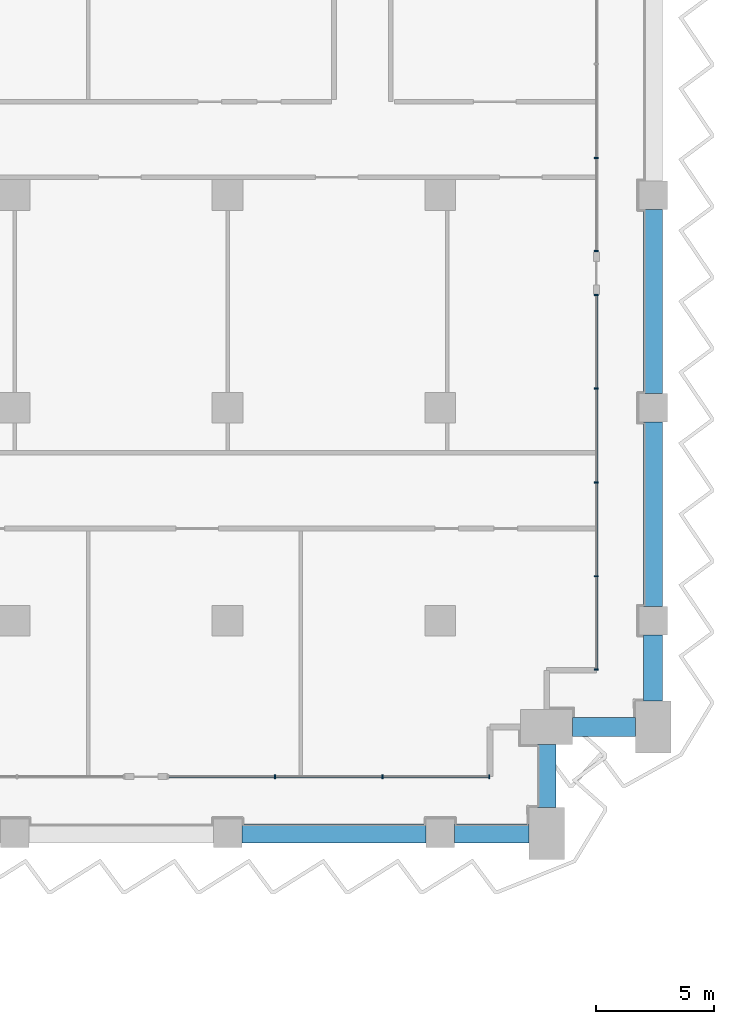
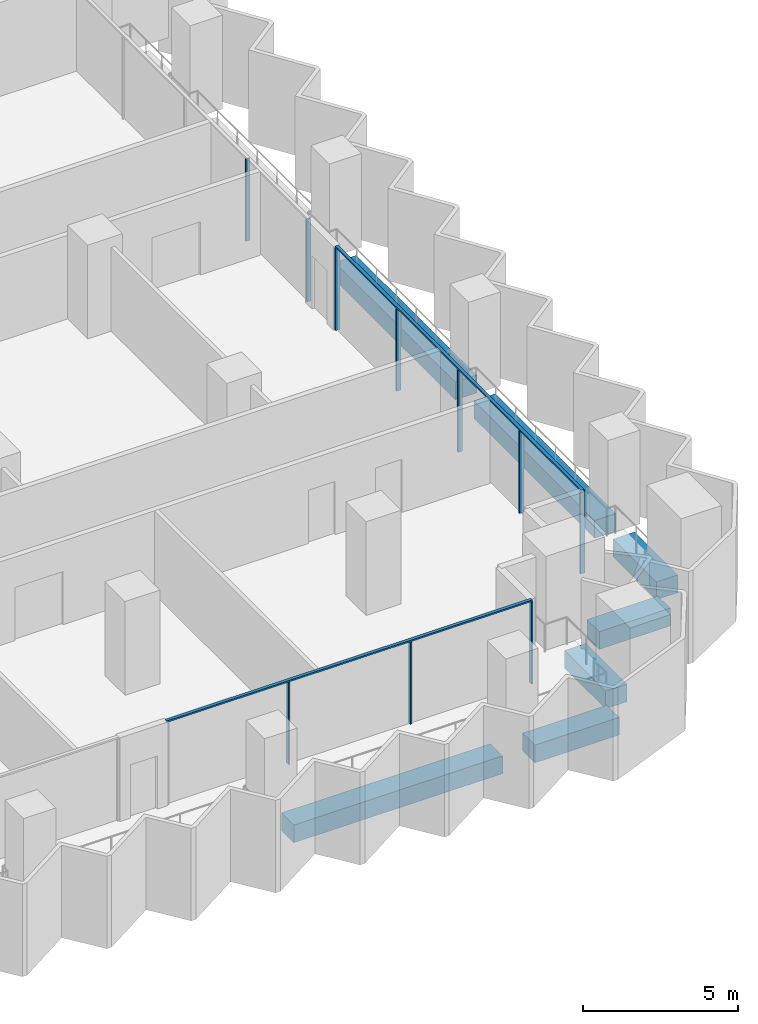
# One storey, part 5 of 22: 12 members, 7 beams, 3 elements without a shape of their own.
"""IFC4 building model written with IfcOpenShell, lengths in metres."""

from ifc_helpers import new_model, si_unit, direction, frame, origin, origin_2d, place, context, subcontext, project, spatial, rectangle, extrude, material, material_profile, profile_set, type_object, element, aggregate, save


model = new_model("IFC4")

# Units and contexts
model_context = context("Model", 3, precision=1e-05, world=origin(), true_north=direction((0.0, 1.0)))
body_context = subcontext(model_context, "Body", "Model", "MODEL_VIEW")
ifc_project = project(units=[si_unit("LENGTHUNIT", "METRE"), si_unit("AREAUNIT", "SQUARE_METRE"), si_unit("VOLUMEUNIT", "CUBIC_METRE"), si_unit("PLANEANGLEUNIT", "RADIAN"), si_unit("MASSUNIT", "GRAM", prefix="KILO")], contexts=[model_context])

# Site, building, storey
site_placement = place(None, origin())
site = spatial("IfcSite", under=ifc_project, at=site_placement, CompositionType="ELEMENT")
building_placement = place(site_placement, origin())
building = spatial("IfcBuilding", under=site, at=building_placement, Name="Hunhe Ridgeline Campus", CompositionType="ELEMENT")
storey_placement = place(building_placement, frame((0.0, 0.0, 92.199951171875)))
storey = spatial("IfcBuildingStorey", under=building, at=storey_placement, Name="L22", CompositionType="ELEMENT", Elevation=92.199951171875)

# Curtain wall, members
ifc_material_1 = material(Name="Aluminium 6063", Category="aluminium")
curtain_wall_type = type_object("IfcCurtainWallType", Name="Curtain wall CW-1", PredefinedType="NOTDEFINED", material=ifc_material_1)
curtain_wall_1_placement = place(storey_placement, origin())
curtain_wall_1 = element("IfcCurtainWall", 1, at=curtain_wall_1_placement, inside=storey, type_object=curtain_wall_type, Name="Curtain wall 14", PredefinedType="NOTDEFINED")
ifc_material_profile_1 = material_profile(ifc_material_1, rectangle(XDim=0.159912109375, YDim=0.06005859375, at=origin_2d()))
ifc_profile_set_1 = profile_set([ifc_material_profile_1], Name="Aluminium 6063")
member_type_1 = type_object("IfcMemberType", Name="CW-1 aluminium mullion", PredefinedType="MULLION", material=ifc_profile_set_1)
member_1_placement = place(storey_placement, frame((64.999267578125, 56.40087890625, 0.0), z_axis=(0.0, 0.0, 1.0), x_axis=(-1.4652e-07, 1.0, 0.0)))
member_1 = element("IfcMember", 2, at=member_1_placement, type_object=member_type_1, Name="CW-1 mullion 2", PredefinedType="MULLION", context=body_context, shape_type="SweptSolid", body=[
    extrude(rectangle(XDim=0.159912109375, YDim=0.06005859375, at=origin_2d()), origin(), (0.0, 0.0, 1.0), 3.239990234375),
])
member_2_placement = place(storey_placement, frame((69.549072265625, 56.40087890625, 0.0), z_axis=(0.0, 0.0, 1.0), x_axis=(-1.4652e-07, 1.0, 0.0)))
member_2 = element("IfcMember", 3, at=member_2_placement, type_object=member_type_1, Name="CW-1 mullion 3", PredefinedType="MULLION", context=body_context, shape_type="SweptSolid", body=[
    extrude(rectangle(XDim=0.159912109375, YDim=0.06005859375, at=origin_2d()), origin(), (0.0, 0.0, 1.0), 3.239990234375),
])
member_3_placement = place(storey_placement, frame((74.069091796875, 56.40087890625, 0.0), z_axis=(0.0, 0.0, 1.0), x_axis=(-1.4652e-07, 1.0, 0.0)))
member_3 = element("IfcMember", 4, at=member_3_placement, type_object=member_type_1, Name="CW-1 mullion 4", PredefinedType="MULLION", context=body_context, shape_type="SweptSolid", body=[
    extrude(rectangle(XDim=0.159912109375, YDim=0.06005859375, at=origin_2d()), origin(), (0.0, 0.0, 1.0), 3.239990234375),
])

curtain_wall_2_placement = place(storey_placement, origin())
curtain_wall_2 = element("IfcCurtainWall", 5, at=curtain_wall_2_placement, inside=storey, type_object=curtain_wall_type, Name="Curtain wall 15", PredefinedType="NOTDEFINED")
member_4_placement = place(storey_placement, frame((78.59912109375, 60.930908203125, 0.0), z_axis=(0.0, 0.0, 1.0), x_axis=(-1.0, 0.0, 0.0)))
member_4 = element("IfcMember", 6, at=member_4_placement, type_object=member_type_1, Name="CW-1 mullion 1", PredefinedType="MULLION", context=body_context, shape_type="SweptSolid", body=[
    extrude(rectangle(XDim=0.159912109375, YDim=0.06005859375, at=origin_2d()), origin(), (0.0, 0.0, 1.0), 3.239990234375),
])
member_5_placement = place(storey_placement, frame((78.59912109375, 64.8759765625, 0.0), z_axis=(0.0, 0.0, 1.0), x_axis=(-1.0, 0.0, 0.0)))
member_5 = element("IfcMember", 7, at=member_5_placement, type_object=member_type_1, Name="CW-1 mullion 2", PredefinedType="MULLION", context=body_context, shape_type="SweptSolid", body=[
    extrude(rectangle(XDim=0.159912109375, YDim=0.06005859375, at=origin_2d()), origin(), (0.0, 0.0, 1.0), 3.239990234375),
])
member_6_placement = place(storey_placement, frame((78.59912109375, 68.850830078125, 0.0), z_axis=(0.0, 0.0, 1.0), x_axis=(-1.0, 0.0, 0.0)))
member_6 = element("IfcMember", 8, at=member_6_placement, type_object=member_type_1, Name="CW-1 mullion 3", PredefinedType="MULLION", context=body_context, shape_type="SweptSolid", body=[
    extrude(rectangle(XDim=0.159912109375, YDim=0.06005859375, at=origin_2d()), origin(), (0.0, 0.0, 1.0), 3.239990234375),
])
member_7_placement = place(storey_placement, frame((78.59912109375, 72.82568359375, 0.0), z_axis=(0.0, 0.0, 1.0), x_axis=(-1.0, 0.0, 0.0)))
member_7 = element("IfcMember", 9, at=member_7_placement, type_object=member_type_1, Name="CW-1 mullion 4", PredefinedType="MULLION", context=body_context, shape_type="SweptSolid", body=[
    extrude(rectangle(XDim=0.159912109375, YDim=0.06005859375, at=origin_2d()), origin(), (0.0, 0.0, 1.0), 3.239990234375),
])
member_8_placement = place(storey_placement, frame((78.59912109375, 76.7705078125, 0.0), z_axis=(0.0, 0.0, 1.0), x_axis=(-1.0, 0.0, 0.0)))
member_8 = element("IfcMember", 10, at=member_8_placement, type_object=member_type_1, Name="CW-1 mullion 5", PredefinedType="MULLION", context=body_context, shape_type="SweptSolid", body=[
    extrude(rectangle(XDim=0.159912109375, YDim=0.06005859375, at=origin_2d()), origin(), (0.0, 0.0, 1.0), 3.239990234375),
])

curtain_wall_3_placement = place(storey_placement, origin())
curtain_wall_3 = element("IfcCurtainWall", 11, at=curtain_wall_3_placement, inside=storey, type_object=curtain_wall_type, Name="Curtain wall 16", PredefinedType="NOTDEFINED")
member_9_placement = place(storey_placement, frame((78.59912109375, 78.630615234375, 0.0), z_axis=(0.0, 0.0, 1.0), x_axis=(-1.0, 0.0, 0.0)))
member_9 = element("IfcMember", 12, at=member_9_placement, type_object=member_type_1, Name="CW-1 mullion 1", PredefinedType="MULLION", context=body_context, shape_type="SweptSolid", body=[
    extrude(rectangle(XDim=0.159912109375, YDim=0.06005859375, at=origin_2d()), origin(), (0.0, 0.0, 1.0), 3.239990234375),
])
member_10_placement = place(storey_placement, frame((78.59912109375, 82.575439453125, 0.0), z_axis=(0.0, 0.0, 1.0), x_axis=(-1.0, 0.0, 0.0)))
member_10 = element("IfcMember", 13, at=member_10_placement, type_object=member_type_1, Name="CW-1 mullion 2", PredefinedType="MULLION", context=body_context, shape_type="SweptSolid", body=[
    extrude(rectangle(XDim=0.159912109375, YDim=0.06005859375, at=origin_2d()), origin(), (0.0, 0.0, 1.0), 3.239990234375),
])
aggregate(curtain_wall_3, [member_9, member_10])

# Member
ifc_material_profile_2 = material_profile(ifc_material_1, rectangle(XDim=0.1201171875, YDim=0.06005859375, at=origin_2d()))
ifc_profile_set_2 = profile_set([ifc_material_profile_2], Name="Aluminium 6063")
member_type_2 = type_object("IfcMemberType", Name="CW-1 aluminium transom", PredefinedType="USERDEFINED", material=ifc_profile_set_2)
member_11_placement = place(storey_placement, frame((60.449462890625, 56.40087890625, 3.27001953125), z_axis=(1.0, 0.0, 0.0), x_axis=(0.0, 1.0, 0.0)))
member_11 = element("IfcMember", 14, at=member_11_placement, type_object=member_type_2, Name="CW-1 transom 1", ObjectType="TRANSOM", PredefinedType="USERDEFINED", context=body_context, shape_type="SweptSolid", body=[
    extrude(rectangle(XDim=0.1201171875, YDim=0.06005859375, at=origin_2d()), origin(), (0.0, 0.0, 1.0), 13.649658203125),
])

aggregate(curtain_wall_1, [member_11, member_1, member_2, member_3])

member_12_placement = place(storey_placement, frame((78.59912109375, 60.90087890625, 3.27001953125), z_axis=(0.0, 1.0, 0.0), x_axis=(-1.0, 0.0, 0.0)))
member_12 = element("IfcMember", 15, at=member_12_placement, type_object=member_type_2, Name="CW-1 transom 1", ObjectType="TRANSOM", PredefinedType="USERDEFINED", context=body_context, shape_type="SweptSolid", body=[
    extrude(rectangle(XDim=0.1201171875, YDim=0.06005859375, at=origin_2d()), origin(), (0.0, 0.0, 1.0), 15.899658203125),
])

aggregate(curtain_wall_2, [member_12, member_4, member_5, member_6, member_7, member_8])

# Beams
ifc_material_2 = material(Name="Concrete C60", Category="concrete")
ifc_material_profile_3 = material_profile(ifc_material_2, rectangle(XDim=0.800048828125, YDim=0.699951171875, at=origin_2d()))
ifc_profile_set_3 = profile_set([ifc_material_profile_3], Name="Concrete C60")
beam_type = type_object("IfcBeamType", Name="RC spandrel beam 800x700 Concrete C60", PredefinedType="SPANDREL", material=ifc_profile_set_3)
beam_1_placement = place(storey_placement, frame((63.60009765625, 54.0, -0.599853515625), z_axis=(1.0, 0.0, 0.0), x_axis=(0.0, 1.0, 0.0)))
element("IfcBeam", 16, at=beam_1_placement, inside=storey, type_object=beam_type, Name="Spandrel beam B1-14 L22", PredefinedType="SPANDREL", context=body_context, shape_type="SweptSolid", body=[
    extrude(rectangle(XDim=0.800048828125, YDim=0.699951171875, at=origin_2d()), origin(), (0.0, 0.0, 1.0), 7.7998046875),
])
beam_2_placement = place(storey_placement, frame((72.60009765625, 54.0, -0.599853515625), z_axis=(1.0, 0.0, 0.0), x_axis=(0.0, 1.0, 0.0)))
element("IfcBeam", 17, at=beam_2_placement, inside=storey, type_object=beam_type, Name="Spandrel beam B1-15 L22", PredefinedType="SPANDREL", context=body_context, shape_type="SweptSolid", body=[
    extrude(rectangle(XDim=0.800048828125, YDim=0.699951171875, at=origin_2d()), origin(), (0.0, 0.0, 1.0), 3.14990234375),
])
for number, where, z_axis, x_axis, name in (
    (18, (76.5, 55.10009765625, -0.599853515625), (0.0, 1.0, 0.0), (-1.0, 0.0, 0.0), "Spandrel beam B1-16 L22"),
    (19, (77.60009765625, 58.5, -0.599853515625), (1.0, 0.0, 0.0), (0.0, 1.0, 0.0), "Spandrel beam B1-17 L22"),
):
    element("IfcBeam", number, at=place(storey_placement, frame(where, z_axis=z_axis, x_axis=x_axis)), inside=storey, type_object=beam_type, Name=name, PredefinedType="SPANDREL", context=body_context, shape_type="SweptSolid", body=[
        extrude(rectangle(XDim=0.800048828125, YDim=0.699951171875, at=origin_2d()), origin(), (0.0, 0.0, 1.0), 2.64990234375),
    ])
beam_3_placement = place(storey_placement, frame((81.0, 59.60009765625, -0.599853515625), z_axis=(0.0, 1.0, 0.0), x_axis=(-1.0, 0.0, 0.0)))
element("IfcBeam", 20, at=beam_3_placement, inside=storey, type_object=beam_type, Name="Spandrel beam B1-18 L22", PredefinedType="SPANDREL", context=body_context, shape_type="SweptSolid", body=[
    extrude(rectangle(XDim=0.800048828125, YDim=0.699951171875, at=origin_2d()), origin(), (0.0, 0.0, 1.0), 2.7998046875),
])
for number, where, z_axis, x_axis, name in (
    (21, (81.0, 63.60009765625, -0.599853515625), (0.0, 1.0, 0.0), (-1.0, 0.0, 0.0), "Spandrel beam B1-19 L22"),
    (22, (81.0, 72.60009765625, -0.599853515625), (0.0, 1.0, 0.0), (-1.0, 0.0, 0.0), "Spandrel beam B1-20 L22"),
):
    element("IfcBeam", number, at=place(storey_placement, frame(where, z_axis=z_axis, x_axis=x_axis)), inside=storey, type_object=beam_type, Name=name, PredefinedType="SPANDREL", context=body_context, shape_type="SweptSolid", body=[
        extrude(rectangle(XDim=0.800048828125, YDim=0.699951171875, at=origin_2d()), origin(), (0.0, 0.0, 1.0), 7.7998046875),
    ])

save(model, "model.ifc")
